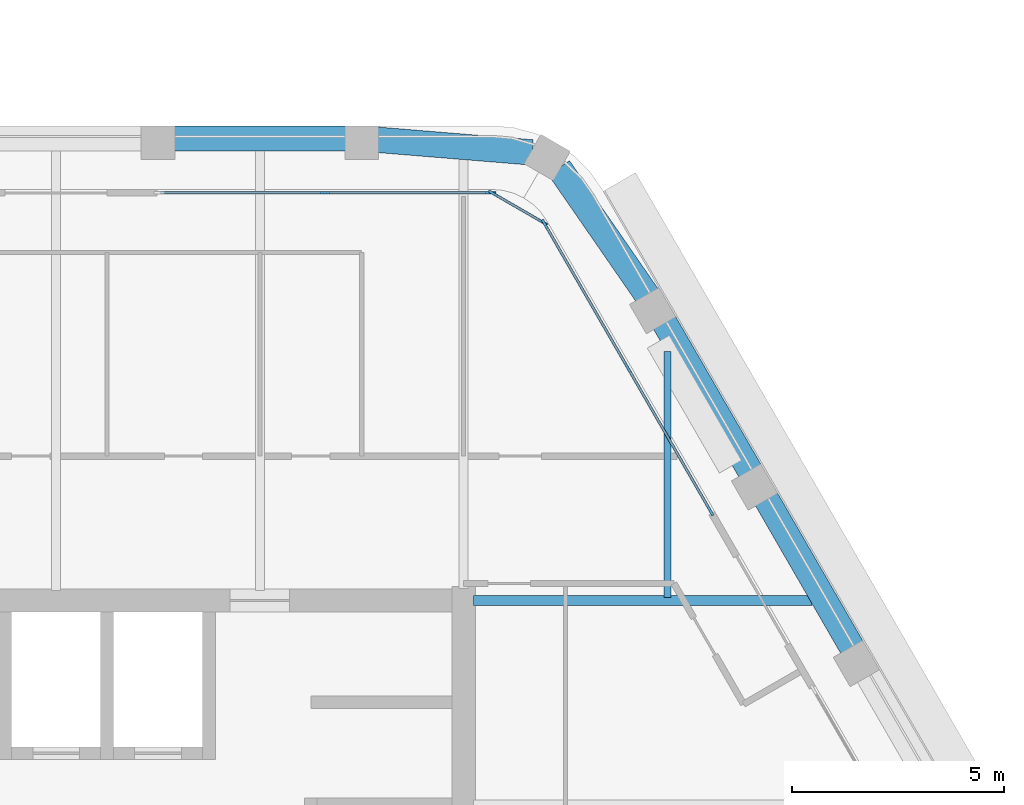
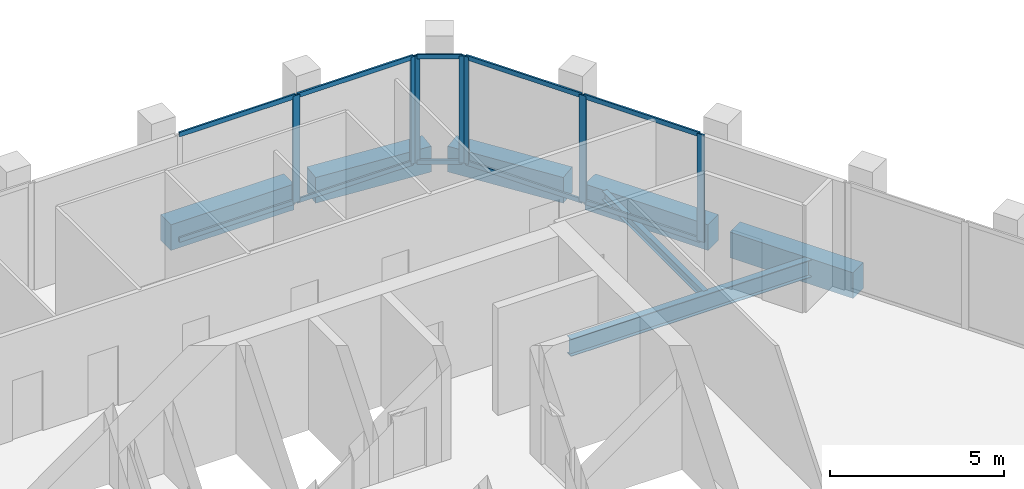
# One storey, part 6 of 15: 17 members, 7 beams, 3 elements without a shape of their own.
"""IFC4 building model written with IfcOpenShell, lengths in metres."""

from ifc_helpers import new_model, si_unit, direction, frame, origin, origin_2d, place, context, subcontext, project, spatial, rectangle, i_section, extrude, material, material_profile, profile_set, type_object, element, aggregate, save


model = new_model("IFC4")

# Units and contexts
model_context = context("Model", 3, precision=1e-05, world=origin(), true_north=direction((0.0, 1.0)))
body_context = subcontext(model_context, "Body", "Model", "MODEL_VIEW")
ifc_project = project(units=[si_unit("LENGTHUNIT", "METRE"), si_unit("AREAUNIT", "SQUARE_METRE"), si_unit("VOLUMEUNIT", "CUBIC_METRE"), si_unit("PLANEANGLEUNIT", "RADIAN"), si_unit("MASSUNIT", "GRAM", prefix="KILO")], contexts=[model_context])

# Site, building, storey
site_placement = place(None, origin())
site = spatial("IfcSite", under=ifc_project, at=site_placement, CompositionType="ELEMENT")
building_placement = place(site_placement, origin())
building = spatial("IfcBuilding", under=site, at=building_placement, Name="Kolab Exchange Tower", CompositionType="ELEMENT")
storey_placement = place(building_placement, frame((0.0, 0.0, 238.39990234375)))
storey = spatial("IfcBuildingStorey", under=building, at=storey_placement, Name="L52", CompositionType="ELEMENT", Elevation=238.39990234375)

# Beams
ifc_material_1 = material(Name="Steel S355", Category="steel")
ifc_material_profile_1 = material_profile(ifc_material_1, i_section(OverallWidth=0.1650390625, OverallDepth=0.31005859375, WebThickness=0.005859375, FlangeThickness=0.009765625, at=origin_2d()), Name="W310X39")
ifc_profile_set_1 = profile_set([ifc_material_profile_1], Name="Steel S355")
beam_type_1 = type_object("IfcBeamType", Name="FLOOR BEAM W310X39", PredefinedType="BEAM", material=ifc_profile_set_1)
beam_1_placement = place(storey_placement, frame((14.39990234375, 9.674072265625, -0.304931640625), z_axis=(0.0, 1.0, 0.0), x_axis=(-1.0, 0.0, 0.0)))
element("IfcBeam", 1, at=beam_1_placement, inside=storey, type_object=beam_type_1, Name="beam/L52/fr/024", PredefinedType="BEAM", context=body_context, shape_type="SweptSolid", body=[
    extrude(i_section(OverallWidth=0.1650390625, OverallDepth=0.31005859375, WebThickness=0.005859375, FlangeThickness=0.009765625, at=origin_2d()), origin(), (0.0, 0.0, 1.0), 5.793701171875),
])
ifc_material_profile_2 = material_profile(ifc_material_1, i_section(OverallWidth=0.22802734375, OverallDepth=0.60791015625, WebThickness=0.01123046875, FlangeThickness=0.017333984375, at=origin_2d()), Name="W610X113")
ifc_profile_set_2 = profile_set([ifc_material_profile_2], Name="Steel S355")
beam_type_2 = type_object("IfcBeamType", Name="FLOOR GIRDER W610X113", PredefinedType="BEAM", material=ifc_profile_set_2)
beam_2_placement = place(storey_placement, frame((9.8349609375, 9.60009765625, -0.453857421875), z_axis=(1.0, 0.0, 0.0), x_axis=(0.0, 1.0, 0.0)))
element("IfcBeam", 2, at=beam_2_placement, inside=storey, type_object=beam_type_2, Name="beam/L52/gd/003", PredefinedType="BEAM", context=body_context, shape_type="SweptSolid", body=[
    extrude(i_section(OverallWidth=0.22802734375, OverallDepth=0.60791015625, WebThickness=0.01123046875, FlangeThickness=0.017333984375, at=origin_2d()), origin(), (0.0, 0.0, 1.0), 7.9697265625),
])
ifc_material_2 = material(Name="Concrete C50/60", Category="concrete")
ifc_material_profile_3 = material_profile(ifc_material_2, rectangle(XDim=0.60009765625, YDim=0.89990234375, at=origin_2d()), Name="RC600X900")
ifc_profile_set_3 = profile_set([ifc_material_profile_3], Name="Concrete C50/60")
beam_type_3 = type_object("IfcBeamType", Name="SPANDREL BEAM 600X900 C50/60", PredefinedType="BEAM", material=ifc_profile_set_3)
beam_3_placement = place(storey_placement, frame((2.760009765625, 20.484619140625, -0.599853515625), z_axis=(1.0, 0.0, 0.0), x_axis=(0.0, 1.0, 0.0)))
element("IfcBeam", 3, at=beam_3_placement, inside=storey, type_object=beam_type_3, Name="beam/L52/sp/F1-04", PredefinedType="BEAM", context=body_context, shape_type="SweptSolid", body=[
    extrude(rectangle(XDim=0.60009765625, YDim=0.89990234375, at=origin_2d()), origin(), (0.0, 0.0, 1.0), 4.080078125),
])
for number, where, z_axis, x_axis, name in (
    (4, (7.56005859375, 20.455078125, -0.599853515625), (0.996666751878, -0.081580547323, 0.0), (0.081580547323, 0.996666751878, 0.0), "beam/L52/sp/F1-05"),
    (5, (11.846923828125, 19.7919921875, -0.599853515625), (0.569005808573, -0.822333502789, 0.0), (0.822333502789, 0.569005808573, 0.0), "beam/L52/sp/F2-01"),
):
    element("IfcBeam", number, at=place(storey_placement, frame(where, z_axis=z_axis, x_axis=x_axis)), inside=storey, type_object=beam_type_3, Name=name, PredefinedType="BEAM", context=body_context, shape_type="SweptSolid", body=[
        extrude(rectangle(XDim=0.60009765625, YDim=0.89990234375, at=origin_2d()), origin(), (0.0, 0.0, 1.0), 3.6689453125),
    ])
beam_4_placement = place(storey_placement, frame((14.3203125, 16.166015625, -0.599853515625), z_axis=(0.499955548806, -0.866051066172, 0.0), x_axis=(0.866051066172, 0.499955548806, 0.0)))
element("IfcBeam", 6, at=beam_4_placement, inside=storey, type_object=beam_type_3, Name="beam/L52/sp/F2-02", PredefinedType="BEAM", context=body_context, shape_type="SweptSolid", body=[
    extrude(rectangle(XDim=0.60009765625, YDim=0.89990234375, at=origin_2d()), origin(), (0.0, 0.0, 1.0), 4.079833984375),
])
beam_5_placement = place(storey_placement, frame((16.72021484375, 12.009033203125, -0.599853515625), z_axis=(0.500000428765, -0.866025156237, 0.0), x_axis=(0.866025156237, 0.500000428765, 0.0)))
element("IfcBeam", 7, at=beam_5_placement, inside=storey, type_object=beam_type_3, Name="beam/L52/sp/F2-03", PredefinedType="BEAM", context=body_context, shape_type="SweptSolid", body=[
    extrude(rectangle(XDim=0.60009765625, YDim=0.89990234375, at=origin_2d()), origin(), (0.0, 0.0, 1.0), 4.080078125),
])

# Curtain wall, members
ifc_material_3 = material(Name="Aluminium EN AW-6063 T6", Category="aluminium")
curtain_wall_type = type_object("IfcCurtainWallType", Name="UNITISED HIGH ZONE CURTAIN WALL", PredefinedType="NOTDEFINED", material=ifc_material_3)
curtain_wall_1_placement = place(storey_placement, origin())
curtain_wall_1 = element("IfcCurtainWall", 8, at=curtain_wall_1_placement, inside=storey, type_object=curtain_wall_type, Name="cw/L52/F1-2", PredefinedType="NOTDEFINED")
ifc_material_profile_4 = material_profile(ifc_material_3, rectangle(XDim=0.06005859375, YDim=0.239990234375, at=origin_2d()), Name="RECT 60X240")
ifc_profile_set_4 = profile_set([ifc_material_profile_4], Name="Aluminium EN AW-6063 T6")
member_type_1 = type_object("IfcMemberType", Name="UNITISED HIGH ZONE MULLION 60 X 240", PredefinedType="MULLION", material=ifc_profile_set_4)
member_1_placement = place(storey_placement, frame((6.333984375, 19.20458984375, 0.0), z_axis=(0.0, 0.0, 1.0), x_axis=(0.0, 1.0, 0.0)))
member_1 = element("IfcMember", 9, at=member_1_placement, type_object=member_type_1, Name="CW4 mullion 2", PredefinedType="MULLION", context=body_context, shape_type="SweptSolid", body=[
    extrude(rectangle(XDim=0.06005859375, YDim=0.239990234375, at=origin_2d()), origin(), (0.0, 0.0, 1.0), 3.75),
])
member_2_placement = place(storey_placement, frame((10.238037109375, 19.20458984375, 0.0), z_axis=(0.0, 0.0, 1.0), x_axis=(0.0, 1.0, 0.0)))
member_2 = element("IfcMember", 10, at=member_2_placement, type_object=member_type_1, Name="CW4 mullion 3", PredefinedType="MULLION", context=body_context, shape_type="SweptSolid", body=[
    extrude(rectangle(XDim=0.06005859375, YDim=0.239990234375, at=origin_2d()), origin(), (0.0, 0.0, 1.0), 3.75),
])

curtain_wall_2_placement = place(storey_placement, origin())
curtain_wall_2 = element("IfcCurtainWall", 11, at=curtain_wall_2_placement, inside=storey, type_object=curtain_wall_type, Name="cw/L52/F2-1", PredefinedType="NOTDEFINED")
member_3_placement = place(storey_placement, frame((11.5126953125, 18.46875, 0.0), z_axis=(0.0, 0.0, 1.0), x_axis=(0.866025385493, 0.500000031681, 0.0)))
member_3 = element("IfcMember", 12, at=member_3_placement, type_object=member_type_1, Name="CW4 mullion 1", PredefinedType="MULLION", context=body_context, shape_type="SweptSolid", body=[
    extrude(rectangle(XDim=0.06005859375, YDim=0.239990234375, at=origin_2d()), origin(), (0.0, 0.0, 1.0), 3.75),
])
member_4_placement = place(storey_placement, frame((13.464599609375, 15.087646484375, 0.0), z_axis=(0.0, 0.0, 1.0), x_axis=(0.866025385493, 0.500000031681, 0.0)))
member_4 = element("IfcMember", 13, at=member_4_placement, type_object=member_type_1, Name="CW4 mullion 2", PredefinedType="MULLION", context=body_context, shape_type="SweptSolid", body=[
    extrude(rectangle(XDim=0.06005859375, YDim=0.239990234375, at=origin_2d()), origin(), (0.0, 0.0, 1.0), 3.75),
])
member_5_placement = place(storey_placement, frame((15.416748046875, 11.706787109375, 0.0), z_axis=(0.0, 0.0, 1.0), x_axis=(0.866025385493, 0.500000031681, 0.0)))
member_5 = element("IfcMember", 14, at=member_5_placement, type_object=member_type_1, Name="CW4 mullion 3", PredefinedType="MULLION", context=body_context, shape_type="SweptSolid", body=[
    extrude(rectangle(XDim=0.06005859375, YDim=0.239990234375, at=origin_2d()), origin(), (0.0, 0.0, 1.0), 3.75),
])

curtain_wall_3_placement = place(storey_placement, origin())
curtain_wall_3 = element("IfcCurtainWall", 15, at=curtain_wall_3_placement, inside=storey, type_object=curtain_wall_type, Name="cw/L52/F1F2-corner", PredefinedType="NOTDEFINED")
member_6_placement = place(storey_placement, frame((10.2939453125, 19.189697265625, 0.0), z_axis=(0.0, 0.0, 1.0), x_axis=(0.50000002237, 0.866025390869, 0.0)))
member_6 = element("IfcMember", 16, at=member_6_placement, type_object=member_type_1, Name="CW4 mullion 1", PredefinedType="MULLION", context=body_context, shape_type="SweptSolid", body=[
    extrude(rectangle(XDim=0.06005859375, YDim=0.239990234375, at=origin_2d()), origin(), (0.0, 0.0, 1.0), 3.75),
])
member_7_placement = place(storey_placement, frame((11.4716796875, 18.509521484375, 0.0), z_axis=(0.0, 0.0, 1.0), x_axis=(0.50000002237, 0.866025390869, 0.0)))
member_7 = element("IfcMember", 17, at=member_7_placement, type_object=member_type_1, Name="CW4 mullion 2", PredefinedType="MULLION", context=body_context, shape_type="SweptSolid", body=[
    extrude(rectangle(XDim=0.06005859375, YDim=0.239990234375, at=origin_2d()), origin(), (0.0, 0.0, 1.0), 3.75),
])

# Member
ifc_material_profile_5 = material_profile(ifc_material_3, rectangle(XDim=0.06005859375, YDim=0.159912109375, at=origin_2d()), Name="RECT 60X160")
ifc_profile_set_5 = profile_set([ifc_material_profile_5], Name="Aluminium EN AW-6063 T6")
member_type_2 = type_object("IfcMemberType", Name="UNITISED HIGH ZONE TRANSOM 60 X 160", PredefinedType="USERDEFINED", material=ifc_profile_set_5)
member_8_placement = place(storey_placement, frame((2.4599609375, 19.20458984375, 0.030029296875), z_axis=(1.0, 0.0, 0.0), x_axis=(0.0, 1.0, 0.0)))
member_8 = element("IfcMember", 18, at=member_8_placement, type_object=member_type_2, Name="CW4 transom 1.1", ObjectType="TRANSOM", PredefinedType="USERDEFINED", context=body_context, shape_type="SweptSolid", body=[
    extrude(rectangle(XDim=0.06005859375, YDim=0.159912109375, at=origin_2d()), origin(), (0.0, 0.0, 1.0), 3.843994140625),
])

member_9_placement = place(storey_placement, frame((2.4599609375, 19.20458984375, 3.72021484375), z_axis=(1.0, 0.0, 0.0), x_axis=(0.0, 1.0, 0.0)))
member_9 = element("IfcMember", 19, at=member_9_placement, type_object=member_type_2, Name="CW4 transom 1.2", ObjectType="TRANSOM", PredefinedType="USERDEFINED", context=body_context, shape_type="SweptSolid", body=[
    extrude(rectangle(XDim=0.06005859375, YDim=0.159912109375, at=origin_2d()), origin(), (0.0, 0.0, 1.0), 3.843994140625),
])

member_10_placement = place(storey_placement, frame((6.364013671875, 19.20458984375, 0.030029296875), z_axis=(1.0, 0.0, 0.0), x_axis=(0.0, 1.0, 0.0)))
member_10 = element("IfcMember", 20, at=member_10_placement, type_object=member_type_2, Name="CW4 transom 2.1", ObjectType="TRANSOM", PredefinedType="USERDEFINED", context=body_context, shape_type="SweptSolid", body=[
    extrude(rectangle(XDim=0.06005859375, YDim=0.159912109375, at=origin_2d()), origin(), (0.0, 0.0, 1.0), 3.843994140625),
])

member_11_placement = place(storey_placement, frame((6.364013671875, 19.20458984375, 3.72021484375), z_axis=(1.0, 0.0, 0.0), x_axis=(0.0, 1.0, 0.0)))
member_11 = element("IfcMember", 21, at=member_11_placement, type_object=member_type_2, Name="CW4 transom 2.2", ObjectType="TRANSOM", PredefinedType="USERDEFINED", context=body_context, shape_type="SweptSolid", body=[
    extrude(rectangle(XDim=0.06005859375, YDim=0.159912109375, at=origin_2d()), origin(), (0.0, 0.0, 1.0), 3.843994140625),
])

aggregate(curtain_wall_1, [member_1, member_2, member_8, member_9, member_10, member_11])

member_12_placement = place(storey_placement, frame((11.527587890625, 18.442626953125, 0.030029296875), z_axis=(0.500039492609, -0.866002601515, 0.0), x_axis=(0.866002601515, 0.500039492609, 0.0)))
member_12 = element("IfcMember", 22, at=member_12_placement, type_object=member_type_2, Name="CW4 transom 1.1", ObjectType="TRANSOM", PredefinedType="USERDEFINED", context=body_context, shape_type="SweptSolid", body=[
    extrude(rectangle(XDim=0.06005859375, YDim=0.159912109375, at=origin_2d()), origin(), (0.0, 0.0, 1.0), 3.843994140625),
])

member_13_placement = place(storey_placement, frame((11.527587890625, 18.442626953125, 3.72021484375), z_axis=(0.500039492609, -0.866002601515, 0.0), x_axis=(0.866002601515, 0.500039492609, 0.0)))
member_13 = element("IfcMember", 23, at=member_13_placement, type_object=member_type_2, Name="CW4 transom 1.2", ObjectType="TRANSOM", PredefinedType="USERDEFINED", context=body_context, shape_type="SweptSolid", body=[
    extrude(rectangle(XDim=0.06005859375, YDim=0.159912109375, at=origin_2d()), origin(), (0.0, 0.0, 1.0), 3.843994140625),
])

member_14_placement = place(storey_placement, frame((13.479736328125, 15.061767578125, 0.030029296875), z_axis=(0.499964356602, -0.866045981532, 0.0), x_axis=(0.866045981532, 0.499964356602, 0.0)))
member_14 = element("IfcMember", 24, at=member_14_placement, type_object=member_type_2, Name="CW4 transom 2.1", ObjectType="TRANSOM", PredefinedType="USERDEFINED", context=body_context, shape_type="SweptSolid", body=[
    extrude(rectangle(XDim=0.06005859375, YDim=0.159912109375, at=origin_2d()), origin(), (0.0, 0.0, 1.0), 3.843994140625),
])

member_15_placement = place(storey_placement, frame((13.479736328125, 15.061767578125, 3.72021484375), z_axis=(0.499964356602, -0.866045981532, 0.0), x_axis=(0.866045981532, 0.499964356602, 0.0)))
member_15 = element("IfcMember", 25, at=member_15_placement, type_object=member_type_2, Name="CW4 transom 2.2", ObjectType="TRANSOM", PredefinedType="USERDEFINED", context=body_context, shape_type="SweptSolid", body=[
    extrude(rectangle(XDim=0.06005859375, YDim=0.159912109375, at=origin_2d()), origin(), (0.0, 0.0, 1.0), 3.843994140625),
])

aggregate(curtain_wall_2, [member_3, member_4, member_5, member_12, member_13, member_14, member_15])

member_16_placement = place(storey_placement, frame((10.31982421875, 19.174560546875, 0.030029296875), z_axis=(0.866085525409, -0.49989585183, 0.0), x_axis=(0.49989585183, 0.866085525409, 0.0)))
member_16 = element("IfcMember", 26, at=member_16_placement, type_object=member_type_2, Name="CW4 transom 1.1", ObjectType="TRANSOM", PredefinedType="USERDEFINED", context=body_context, shape_type="SweptSolid", body=[
    extrude(rectangle(XDim=0.06005859375, YDim=0.159912109375, at=origin_2d()), origin(), (0.0, 0.0, 1.0), 1.300048828125),
])

member_17_placement = place(storey_placement, frame((10.31982421875, 19.174560546875, 3.72021484375), z_axis=(0.866085525409, -0.49989585183, 0.0), x_axis=(0.49989585183, 0.866085525409, 0.0)))
member_17 = element("IfcMember", 27, at=member_17_placement, type_object=member_type_2, Name="CW4 transom 1.2", ObjectType="TRANSOM", PredefinedType="USERDEFINED", context=body_context, shape_type="SweptSolid", body=[
    extrude(rectangle(XDim=0.06005859375, YDim=0.159912109375, at=origin_2d()), origin(), (0.0, 0.0, 1.0), 1.300048828125),
])

aggregate(curtain_wall_3, [member_6, member_7, member_16, member_17])

save(model, "model.ifc")
